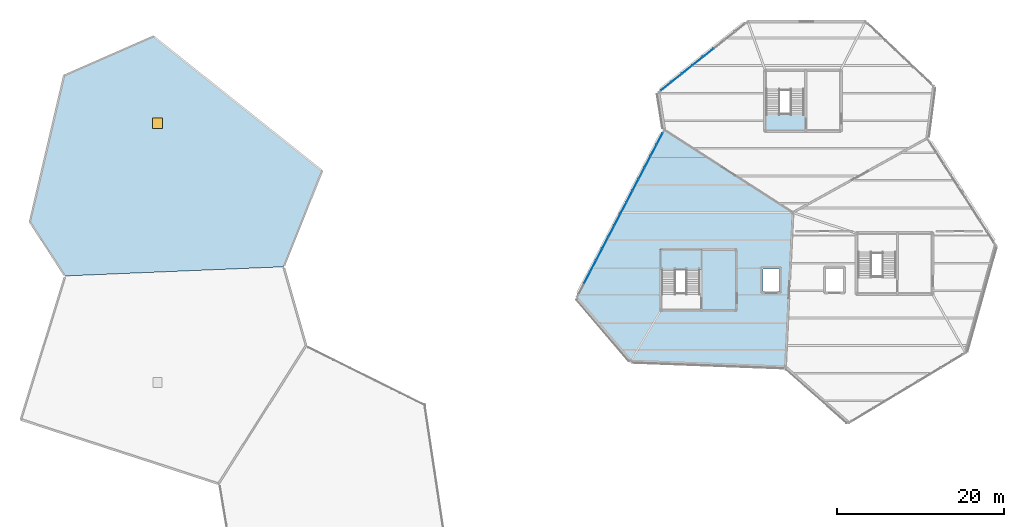
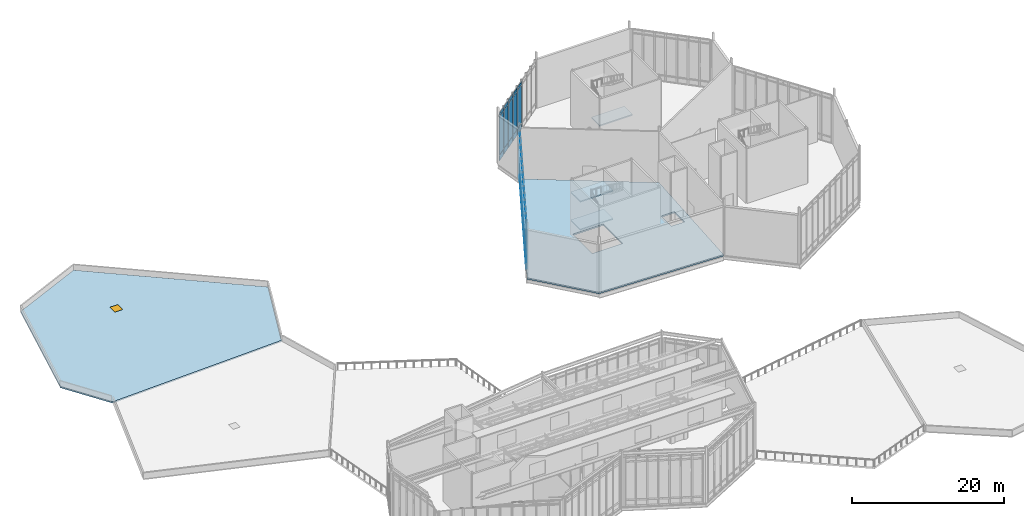
# One storey, part 47 of 66: 54 plates, 5 slabs, 1 door, 1 opening, 4 elements without a shape of their own.
"""IFC4 building model written with IfcOpenShell, lengths in metres."""

from ifc_helpers import new_model, si_unit, direction, frame, origin, origin_2d, place, context, subcontext, project, spatial, polyline, rectangle, outline, extrude, material, layer, layer_set, type_object, element, fill, aggregate, save


model = new_model("IFC4")

# Units and contexts
model_context = context("Model", 3, precision=1e-05, world=origin(), true_north=direction((0.0, 1.0)))
body_context = subcontext(model_context, "Body", "Model", "MODEL_VIEW")
ifc_project = project(units=[si_unit("LENGTHUNIT", "METRE"), si_unit("AREAUNIT", "SQUARE_METRE"), si_unit("VOLUMEUNIT", "CUBIC_METRE"), si_unit("PLANEANGLEUNIT", "RADIAN"), si_unit("MASSUNIT", "GRAM", prefix="KILO")], contexts=[model_context])

# Site, building, storey
site_placement = place(None, origin())
site = spatial("IfcSite", under=ifc_project, at=site_placement, CompositionType="ELEMENT")
building_placement = place(site_placement, origin())
building = spatial("IfcBuilding", under=site, at=building_placement, Name="Tameran Prism Museum", CompositionType="ELEMENT")
storey_placement = place(building_placement, frame((0.0, 0.0, 19.800048828125)))
storey = spatial("IfcBuildingStorey", under=building, at=storey_placement, Name="L04", CompositionType="ELEMENT", Elevation=19.800048828125)

# Curtain wall, plates
ifc_material_1 = material(Name="Anodised Aluminium 6063-T6 and Cyclone Solar Glass", Category="aluminium")
curtain_wall_type_1 = type_object("IfcCurtainWallType", Name="CW-FAC-2192x782", PredefinedType="USERDEFINED", material=ifc_material_1)
curtain_wall_1_placement = place(storey_placement, origin())
curtain_wall_1 = element("IfcCurtainWall", 1, at=curtain_wall_1_placement, inside=storey, type_object=curtain_wall_type_1, Name="Unitised Curtain Wall CW-151", ObjectType="UNITISED CURTAIN WALL", PredefinedType="USERDEFINED")
ifc_material_2 = material(Name="Cyclone Laminated Solar Glass", Category="glass")
ifc_layer_1 = layer(ifc_material_2, 0.031982421875)
ifc_layer_set_1 = layer_set([ifc_layer_1])
plate_type = type_object("IfcPlateType", Name="CW-PNL-G32", PredefinedType="CURTAIN_PANEL", material=ifc_layer_set_1)
plate_1_placement = place(storey_placement, frame((94.149169921875, 81.29150390625, 0.06494140625), z_axis=(0.0, 0.0, 1.0), x_axis=(0.463002540551, 0.886356952612, 0.0)))
plate_1 = element("IfcPlate", 2, at=plate_1_placement, type_object=plate_type, Name="CW-151 panel 2.1", PredefinedType="CURTAIN_PANEL", context=body_context, shape_type="SweptSolid", body=[
    extrude(rectangle(XDim=1.50048828125, YDim=0.031982421875, at=origin_2d()), origin(), (0.0, 0.0, 1.0), 0.902587890625),
])
plate_2_placement = place(storey_placement, frame((94.149169921875, 81.29150390625, 1.03271484375), z_axis=(0.0, 0.0, 1.0), x_axis=(0.463002540551, 0.886356952612, 0.0)))
plate_2 = element("IfcPlate", 3, at=plate_2_placement, type_object=plate_type, Name="CW-151 panel 2.2", PredefinedType="CURTAIN_PANEL", context=body_context, shape_type="SweptSolid", body=[
    extrude(rectangle(XDim=1.50048828125, YDim=0.031982421875, at=origin_2d()), origin(), (0.0, 0.0, 1.0), 6.074951171875),
])
plate_3_placement = place(storey_placement, frame((94.149169921875, 81.29150390625, 7.17236328125), z_axis=(0.0, 0.0, 1.0), x_axis=(0.463002540551, 0.886356952612, 0.0)))
plate_3 = element("IfcPlate", 4, at=plate_3_placement, type_object=plate_type, Name="CW-151 panel 2.3", PredefinedType="CURTAIN_PANEL", context=body_context, shape_type="SweptSolid", body=[
    extrude(rectangle(XDim=1.50048828125, YDim=0.031982421875, at=origin_2d()), origin(), (0.0, 0.0, 1.0), 0.58251953125),
])
plate_4_placement = place(storey_placement, frame((94.8740234375, 82.67919921875, 0.06494140625), z_axis=(0.0, 0.0, 1.0), x_axis=(0.463002540551, 0.886356952612, 0.0)))
plate_4 = element("IfcPlate", 5, at=plate_4_placement, type_object=plate_type, Name="CW-151 panel 3.1", PredefinedType="CURTAIN_PANEL", context=body_context, shape_type="SweptSolid", body=[
    extrude(rectangle(XDim=1.50048828125, YDim=0.031982421875, at=origin_2d()), origin(), (0.0, 0.0, 1.0), 0.902587890625),
])
plate_5_placement = place(storey_placement, frame((94.8740234375, 82.67919921875, 1.03271484375), z_axis=(0.0, 0.0, 1.0), x_axis=(0.463002540551, 0.886356952612, 0.0)))
plate_5 = element("IfcPlate", 6, at=plate_5_placement, type_object=plate_type, Name="CW-151 panel 3.2", PredefinedType="CURTAIN_PANEL", context=body_context, shape_type="SweptSolid", body=[
    extrude(rectangle(XDim=1.50048828125, YDim=0.031982421875, at=origin_2d()), origin(), (0.0, 0.0, 1.0), 6.074951171875),
])
plate_6_placement = place(storey_placement, frame((94.8740234375, 82.67919921875, 7.17236328125), z_axis=(0.0, 0.0, 1.0), x_axis=(0.463002540551, 0.886356952612, 0.0)))
plate_6 = element("IfcPlate", 7, at=plate_6_placement, type_object=plate_type, Name="CW-151 panel 3.3", PredefinedType="CURTAIN_PANEL", context=body_context, shape_type="SweptSolid", body=[
    extrude(rectangle(XDim=1.50048828125, YDim=0.031982421875, at=origin_2d()), origin(), (0.0, 0.0, 1.0), 0.58251953125),
])
plate_7_placement = place(storey_placement, frame((95.59912109375, 84.066650390625, 0.06494140625), z_axis=(0.0, 0.0, 1.0), x_axis=(0.463002540551, 0.886356952612, 0.0)))
plate_7 = element("IfcPlate", 8, at=plate_7_placement, type_object=plate_type, Name="CW-151 panel 4.1", PredefinedType="CURTAIN_PANEL", context=body_context, shape_type="SweptSolid", body=[
    extrude(rectangle(XDim=1.50048828125, YDim=0.031982421875, at=origin_2d()), origin(), (0.0, 0.0, 1.0), 0.902587890625),
])
plate_8_placement = place(storey_placement, frame((95.59912109375, 84.066650390625, 1.03271484375), z_axis=(0.0, 0.0, 1.0), x_axis=(0.463002540551, 0.886356952612, 0.0)))
plate_8 = element("IfcPlate", 9, at=plate_8_placement, type_object=plate_type, Name="CW-151 panel 4.2", PredefinedType="CURTAIN_PANEL", context=body_context, shape_type="SweptSolid", body=[
    extrude(rectangle(XDim=1.50048828125, YDim=0.031982421875, at=origin_2d()), origin(), (0.0, 0.0, 1.0), 6.074951171875),
])
plate_9_placement = place(storey_placement, frame((95.59912109375, 84.066650390625, 7.17236328125), z_axis=(0.0, 0.0, 1.0), x_axis=(0.463002540551, 0.886356952612, 0.0)))
plate_9 = element("IfcPlate", 10, at=plate_9_placement, type_object=plate_type, Name="CW-151 panel 4.3", PredefinedType="CURTAIN_PANEL", context=body_context, shape_type="SweptSolid", body=[
    extrude(rectangle(XDim=1.50048828125, YDim=0.031982421875, at=origin_2d()), origin(), (0.0, 0.0, 1.0), 0.58251953125),
])
plate_10_placement = place(storey_placement, frame((96.323974609375, 85.454345703125, 0.06494140625), z_axis=(0.0, 0.0, 1.0), x_axis=(0.463002540551, 0.886356952612, 0.0)))
plate_10 = element("IfcPlate", 11, at=plate_10_placement, type_object=plate_type, Name="CW-151 panel 5.1", PredefinedType="CURTAIN_PANEL", context=body_context, shape_type="SweptSolid", body=[
    extrude(rectangle(XDim=1.50048828125, YDim=0.031982421875, at=origin_2d()), origin(), (0.0, 0.0, 1.0), 0.902587890625),
])
plate_11_placement = place(storey_placement, frame((96.323974609375, 85.454345703125, 1.03271484375), z_axis=(0.0, 0.0, 1.0), x_axis=(0.463002540551, 0.886356952612, 0.0)))
plate_11 = element("IfcPlate", 12, at=plate_11_placement, type_object=plate_type, Name="CW-151 panel 5.2", PredefinedType="CURTAIN_PANEL", context=body_context, shape_type="SweptSolid", body=[
    extrude(rectangle(XDim=1.50048828125, YDim=0.031982421875, at=origin_2d()), origin(), (0.0, 0.0, 1.0), 6.074951171875),
])
plate_12_placement = place(storey_placement, frame((96.323974609375, 85.454345703125, 7.17236328125), z_axis=(0.0, 0.0, 1.0), x_axis=(0.463002540551, 0.886356952612, 0.0)))
plate_12 = element("IfcPlate", 13, at=plate_12_placement, type_object=plate_type, Name="CW-151 panel 5.3", PredefinedType="CURTAIN_PANEL", context=body_context, shape_type="SweptSolid", body=[
    extrude(rectangle(XDim=1.50048828125, YDim=0.031982421875, at=origin_2d()), origin(), (0.0, 0.0, 1.0), 0.58251953125),
])
plate_13_placement = place(storey_placement, frame((97.048828125, 86.842041015625, 0.06494140625), z_axis=(0.0, 0.0, 1.0), x_axis=(0.463002540551, 0.886356952612, 0.0)))
plate_13 = element("IfcPlate", 14, at=plate_13_placement, type_object=plate_type, Name="CW-151 panel 6.1", PredefinedType="CURTAIN_PANEL", context=body_context, shape_type="SweptSolid", body=[
    extrude(rectangle(XDim=1.50048828125, YDim=0.031982421875, at=origin_2d()), origin(), (0.0, 0.0, 1.0), 0.902587890625),
])
plate_14_placement = place(storey_placement, frame((97.048828125, 86.842041015625, 1.03271484375), z_axis=(0.0, 0.0, 1.0), x_axis=(0.463002540551, 0.886356952612, 0.0)))
plate_14 = element("IfcPlate", 15, at=plate_14_placement, type_object=plate_type, Name="CW-151 panel 6.2", PredefinedType="CURTAIN_PANEL", context=body_context, shape_type="SweptSolid", body=[
    extrude(rectangle(XDim=1.50048828125, YDim=0.031982421875, at=origin_2d()), origin(), (0.0, 0.0, 1.0), 6.074951171875),
])
plate_15_placement = place(storey_placement, frame((97.048828125, 86.842041015625, 7.17236328125), z_axis=(0.0, 0.0, 1.0), x_axis=(0.463002540551, 0.886356952612, 0.0)))
plate_15 = element("IfcPlate", 16, at=plate_15_placement, type_object=plate_type, Name="CW-151 panel 6.3", PredefinedType="CURTAIN_PANEL", context=body_context, shape_type="SweptSolid", body=[
    extrude(rectangle(XDim=1.50048828125, YDim=0.031982421875, at=origin_2d()), origin(), (0.0, 0.0, 1.0), 0.58251953125),
])
plate_16_placement = place(storey_placement, frame((97.773681640625, 88.229736328125, 0.06494140625), z_axis=(0.0, 0.0, 1.0), x_axis=(0.463002540551, 0.886356952612, 0.0)))
plate_16 = element("IfcPlate", 17, at=plate_16_placement, type_object=plate_type, Name="CW-151 panel 7.1", PredefinedType="CURTAIN_PANEL", context=body_context, shape_type="SweptSolid", body=[
    extrude(rectangle(XDim=1.50048828125, YDim=0.031982421875, at=origin_2d()), origin(), (0.0, 0.0, 1.0), 0.902587890625),
])
plate_17_placement = place(storey_placement, frame((97.773681640625, 88.229736328125, 1.03271484375), z_axis=(0.0, 0.0, 1.0), x_axis=(0.463002540551, 0.886356952612, 0.0)))
plate_17 = element("IfcPlate", 18, at=plate_17_placement, type_object=plate_type, Name="CW-151 panel 7.2", PredefinedType="CURTAIN_PANEL", context=body_context, shape_type="SweptSolid", body=[
    extrude(rectangle(XDim=1.50048828125, YDim=0.031982421875, at=origin_2d()), origin(), (0.0, 0.0, 1.0), 6.074951171875),
])
plate_18_placement = place(storey_placement, frame((97.773681640625, 88.229736328125, 7.17236328125), z_axis=(0.0, 0.0, 1.0), x_axis=(0.463002540551, 0.886356952612, 0.0)))
plate_18 = element("IfcPlate", 19, at=plate_18_placement, type_object=plate_type, Name="CW-151 panel 7.3", PredefinedType="CURTAIN_PANEL", context=body_context, shape_type="SweptSolid", body=[
    extrude(rectangle(XDim=1.50048828125, YDim=0.031982421875, at=origin_2d()), origin(), (0.0, 0.0, 1.0), 0.58251953125),
])
plate_19_placement = place(storey_placement, frame((98.49853515625, 89.617431640625, 0.06494140625), z_axis=(0.0, 0.0, 1.0), x_axis=(0.463002540551, 0.886356952612, 0.0)))
plate_19 = element("IfcPlate", 20, at=plate_19_placement, type_object=plate_type, Name="CW-151 panel 8.1", PredefinedType="CURTAIN_PANEL", context=body_context, shape_type="SweptSolid", body=[
    extrude(rectangle(XDim=1.50048828125, YDim=0.031982421875, at=origin_2d()), origin(), (0.0, 0.0, 1.0), 0.902587890625),
])
plate_20_placement = place(storey_placement, frame((98.49853515625, 89.617431640625, 1.03271484375), z_axis=(0.0, 0.0, 1.0), x_axis=(0.463002540551, 0.886356952612, 0.0)))
plate_20 = element("IfcPlate", 21, at=plate_20_placement, type_object=plate_type, Name="CW-151 panel 8.2", PredefinedType="CURTAIN_PANEL", context=body_context, shape_type="SweptSolid", body=[
    extrude(rectangle(XDim=1.50048828125, YDim=0.031982421875, at=origin_2d()), origin(), (0.0, 0.0, 1.0), 6.074951171875),
])
plate_21_placement = place(storey_placement, frame((98.49853515625, 89.617431640625, 7.17236328125), z_axis=(0.0, 0.0, 1.0), x_axis=(0.463002540551, 0.886356952612, 0.0)))
plate_21 = element("IfcPlate", 22, at=plate_21_placement, type_object=plate_type, Name="CW-151 panel 8.3", PredefinedType="CURTAIN_PANEL", context=body_context, shape_type="SweptSolid", body=[
    extrude(rectangle(XDim=1.50048828125, YDim=0.031982421875, at=origin_2d()), origin(), (0.0, 0.0, 1.0), 0.58251953125),
])
plate_22_placement = place(storey_placement, frame((99.223388671875, 91.0048828125, 0.06494140625), z_axis=(0.0, 0.0, 1.0), x_axis=(0.463002540551, 0.886356952612, 0.0)))
plate_22 = element("IfcPlate", 23, at=plate_22_placement, type_object=plate_type, Name="CW-151 panel 9.1", PredefinedType="CURTAIN_PANEL", context=body_context, shape_type="SweptSolid", body=[
    extrude(rectangle(XDim=1.50048828125, YDim=0.031982421875, at=origin_2d()), origin(), (0.0, 0.0, 1.0), 0.902587890625),
])
plate_23_placement = place(storey_placement, frame((99.223388671875, 91.0048828125, 1.03271484375), z_axis=(0.0, 0.0, 1.0), x_axis=(0.463002540551, 0.886356952612, 0.0)))
plate_23 = element("IfcPlate", 24, at=plate_23_placement, type_object=plate_type, Name="CW-151 panel 9.2", PredefinedType="CURTAIN_PANEL", context=body_context, shape_type="SweptSolid", body=[
    extrude(rectangle(XDim=1.50048828125, YDim=0.031982421875, at=origin_2d()), origin(), (0.0, 0.0, 1.0), 6.074951171875),
])
plate_24_placement = place(storey_placement, frame((99.223388671875, 91.0048828125, 7.17236328125), z_axis=(0.0, 0.0, 1.0), x_axis=(0.463002540551, 0.886356952612, 0.0)))
plate_24 = element("IfcPlate", 25, at=plate_24_placement, type_object=plate_type, Name="CW-151 panel 9.3", PredefinedType="CURTAIN_PANEL", context=body_context, shape_type="SweptSolid", body=[
    extrude(rectangle(XDim=1.50048828125, YDim=0.031982421875, at=origin_2d()), origin(), (0.0, 0.0, 1.0), 0.58251953125),
])
plate_25_placement = place(storey_placement, frame((99.9482421875, 92.392578125, 0.06494140625), z_axis=(0.0, 0.0, 1.0), x_axis=(0.463002540551, 0.886356952612, 0.0)))
plate_25 = element("IfcPlate", 26, at=plate_25_placement, type_object=plate_type, Name="CW-151 panel 10.1", PredefinedType="CURTAIN_PANEL", context=body_context, shape_type="SweptSolid", body=[
    extrude(rectangle(XDim=1.50048828125, YDim=0.031982421875, at=origin_2d()), origin(), (0.0, 0.0, 1.0), 0.902587890625),
])
plate_26_placement = place(storey_placement, frame((99.9482421875, 92.392578125, 1.03271484375), z_axis=(0.0, 0.0, 1.0), x_axis=(0.463002540551, 0.886356952612, 0.0)))
plate_26 = element("IfcPlate", 27, at=plate_26_placement, type_object=plate_type, Name="CW-151 panel 10.2", PredefinedType="CURTAIN_PANEL", context=body_context, shape_type="SweptSolid", body=[
    extrude(rectangle(XDim=1.50048828125, YDim=0.031982421875, at=origin_2d()), origin(), (0.0, 0.0, 1.0), 6.074951171875),
])
plate_27_placement = place(storey_placement, frame((99.9482421875, 92.392578125, 7.17236328125), z_axis=(0.0, 0.0, 1.0), x_axis=(0.463002540551, 0.886356952612, 0.0)))
plate_27 = element("IfcPlate", 28, at=plate_27_placement, type_object=plate_type, Name="CW-151 panel 10.3", PredefinedType="CURTAIN_PANEL", context=body_context, shape_type="SweptSolid", body=[
    extrude(rectangle(XDim=1.50048828125, YDim=0.031982421875, at=origin_2d()), origin(), (0.0, 0.0, 1.0), 0.58251953125),
])
plate_28_placement = place(storey_placement, frame((100.673095703125, 93.7802734375, 0.06494140625), z_axis=(0.0, 0.0, 1.0), x_axis=(0.463002540551, 0.886356952612, 0.0)))
plate_28 = element("IfcPlate", 29, at=plate_28_placement, type_object=plate_type, Name="CW-151 panel 11.1", PredefinedType="CURTAIN_PANEL", context=body_context, shape_type="SweptSolid", body=[
    extrude(rectangle(XDim=1.50048828125, YDim=0.031982421875, at=origin_2d()), origin(), (0.0, 0.0, 1.0), 0.902587890625),
])
plate_29_placement = place(storey_placement, frame((100.673095703125, 93.7802734375, 1.03271484375), z_axis=(0.0, 0.0, 1.0), x_axis=(0.463002540551, 0.886356952612, 0.0)))
plate_29 = element("IfcPlate", 30, at=plate_29_placement, type_object=plate_type, Name="CW-151 panel 11.2", PredefinedType="CURTAIN_PANEL", context=body_context, shape_type="SweptSolid", body=[
    extrude(rectangle(XDim=1.50048828125, YDim=0.031982421875, at=origin_2d()), origin(), (0.0, 0.0, 1.0), 6.074951171875),
])
plate_30_placement = place(storey_placement, frame((100.673095703125, 93.7802734375, 7.17236328125), z_axis=(0.0, 0.0, 1.0), x_axis=(0.463002540551, 0.886356952612, 0.0)))
plate_30 = element("IfcPlate", 31, at=plate_30_placement, type_object=plate_type, Name="CW-151 panel 11.3", PredefinedType="CURTAIN_PANEL", context=body_context, shape_type="SweptSolid", body=[
    extrude(rectangle(XDim=1.50048828125, YDim=0.031982421875, at=origin_2d()), origin(), (0.0, 0.0, 1.0), 0.58251953125),
])
plate_31_placement = place(storey_placement, frame((101.39794921875, 95.16796875, 0.06494140625), z_axis=(0.0, 0.0, 1.0), x_axis=(0.463002540551, 0.886356952612, 0.0)))
plate_31 = element("IfcPlate", 32, at=plate_31_placement, type_object=plate_type, Name="CW-151 panel 12.1", PredefinedType="CURTAIN_PANEL", context=body_context, shape_type="SweptSolid", body=[
    extrude(rectangle(XDim=1.50048828125, YDim=0.031982421875, at=origin_2d()), origin(), (0.0, 0.0, 1.0), 0.902587890625),
])
plate_32_placement = place(storey_placement, frame((101.39794921875, 95.16796875, 1.03271484375), z_axis=(0.0, 0.0, 1.0), x_axis=(0.463002540551, 0.886356952612, 0.0)))
plate_32 = element("IfcPlate", 33, at=plate_32_placement, type_object=plate_type, Name="CW-151 panel 12.2", PredefinedType="CURTAIN_PANEL", context=body_context, shape_type="SweptSolid", body=[
    extrude(rectangle(XDim=1.50048828125, YDim=0.031982421875, at=origin_2d()), origin(), (0.0, 0.0, 1.0), 6.074951171875),
])
plate_33_placement = place(storey_placement, frame((101.39794921875, 95.16796875, 7.17236328125), z_axis=(0.0, 0.0, 1.0), x_axis=(0.463002540551, 0.886356952612, 0.0)))
plate_33 = element("IfcPlate", 34, at=plate_33_placement, type_object=plate_type, Name="CW-151 panel 12.3", PredefinedType="CURTAIN_PANEL", context=body_context, shape_type="SweptSolid", body=[
    extrude(rectangle(XDim=1.50048828125, YDim=0.031982421875, at=origin_2d()), origin(), (0.0, 0.0, 1.0), 0.58251953125),
])
plate_34_placement = place(storey_placement, frame((102.122802734375, 96.555419921875, 0.06494140625), z_axis=(0.0, 0.0, 1.0), x_axis=(0.463002540551, 0.886356952612, 0.0)))
plate_34 = element("IfcPlate", 35, at=plate_34_placement, type_object=plate_type, Name="CW-151 panel 13.1", PredefinedType="CURTAIN_PANEL", context=body_context, shape_type="SweptSolid", body=[
    extrude(rectangle(XDim=1.50048828125, YDim=0.031982421875, at=origin_2d()), origin(), (0.0, 0.0, 1.0), 0.902587890625),
])
plate_35_placement = place(storey_placement, frame((102.122802734375, 96.555419921875, 1.03271484375), z_axis=(0.0, 0.0, 1.0), x_axis=(0.463002540551, 0.886356952612, 0.0)))
plate_35 = element("IfcPlate", 36, at=plate_35_placement, type_object=plate_type, Name="CW-151 panel 13.2", PredefinedType="CURTAIN_PANEL", context=body_context, shape_type="SweptSolid", body=[
    extrude(rectangle(XDim=1.50048828125, YDim=0.031982421875, at=origin_2d()), origin(), (0.0, 0.0, 1.0), 6.074951171875),
])
plate_36_placement = place(storey_placement, frame((102.122802734375, 96.555419921875, 7.17236328125), z_axis=(0.0, 0.0, 1.0), x_axis=(0.463002540551, 0.886356952612, 0.0)))
plate_36 = element("IfcPlate", 37, at=plate_36_placement, type_object=plate_type, Name="CW-151 panel 13.3", PredefinedType="CURTAIN_PANEL", context=body_context, shape_type="SweptSolid", body=[
    extrude(rectangle(XDim=1.50048828125, YDim=0.031982421875, at=origin_2d()), origin(), (0.0, 0.0, 1.0), 0.58251953125),
])
plate_37_placement = place(storey_placement, frame((102.840087890625, 97.9287109375, 0.06494140625), z_axis=(0.0, 0.0, 1.0), x_axis=(0.463002540551, 0.886356952612, 0.0)))
plate_37 = element("IfcPlate", 38, at=plate_37_placement, type_object=plate_type, Name="CW-151 panel 14.1", PredefinedType="CURTAIN_PANEL", context=body_context, shape_type="SweptSolid", body=[
    extrude(rectangle(XDim=1.468017578125, YDim=0.031982421875, at=origin_2d()), origin(), (0.0, 0.0, 1.0), 0.902587890625),
])
plate_38_placement = place(storey_placement, frame((102.840087890625, 97.9287109375, 1.03271484375), z_axis=(0.0, 0.0, 1.0), x_axis=(0.463002540551, 0.886356952612, 0.0)))
plate_38 = element("IfcPlate", 39, at=plate_38_placement, type_object=plate_type, Name="CW-151 panel 14.2", PredefinedType="CURTAIN_PANEL", context=body_context, shape_type="SweptSolid", body=[
    extrude(rectangle(XDim=1.468017578125, YDim=0.031982421875, at=origin_2d()), origin(), (0.0, 0.0, 1.0), 6.074951171875),
])
plate_39_placement = place(storey_placement, frame((102.840087890625, 97.9287109375, 7.17236328125), z_axis=(0.0, 0.0, 1.0), x_axis=(0.463002540551, 0.886356952612, 0.0)))
plate_39 = element("IfcPlate", 40, at=plate_39_placement, type_object=plate_type, Name="CW-151 panel 14.3", PredefinedType="CURTAIN_PANEL", context=body_context, shape_type="SweptSolid", body=[
    extrude(rectangle(XDim=1.468017578125, YDim=0.031982421875, at=origin_2d()), origin(), (0.0, 0.0, 1.0), 0.58251953125),
])
aggregate(curtain_wall_1, [plate_1, plate_2, plate_3, plate_4, plate_5, plate_6, plate_7, plate_8, plate_9, plate_10, plate_11, plate_12, plate_13, plate_14, plate_15, plate_16, plate_17, plate_18, plate_19, plate_20, plate_21, plate_22, plate_23, plate_24, plate_25, plate_26, plate_27, plate_28, plate_29, plate_30, plate_31, plate_32, plate_33, plate_34, plate_35, plate_36, plate_37, plate_38, plate_39])

ifc_material_3 = material(Name="Anodised Aluminium 6063-T6 and Cyclone Solar Glass", Category="aluminium")
curtain_wall_type_2 = type_object("IfcCurtainWallType", Name="CW-FAC-1296x782", PredefinedType="USERDEFINED", material=ifc_material_3)
curtain_wall_2_placement = place(storey_placement, origin())
curtain_wall_2 = element("IfcCurtainWall", 41, at=curtain_wall_2_placement, inside=storey, type_object=curtain_wall_type_2, Name="Unitised Curtain Wall CW-155", ObjectType="UNITISED CURTAIN WALL", PredefinedType="USERDEFINED")
plate_40_placement = place(storey_placement, frame((103.621337890625, 104.232177734375, 0.06494140625), z_axis=(0.0, 0.0, 1.0), x_axis=(0.783031296178, 0.621982306183, 0.0)))
plate_40 = element("IfcPlate", 42, at=plate_40_placement, type_object=plate_type, Name="CW-155 panel 1.1", PredefinedType="CURTAIN_PANEL", context=body_context, shape_type="SweptSolid", body=[
    extrude(rectangle(XDim=1.523193359375, YDim=0.031982421875, at=origin_2d()), origin(), (0.0, 0.0, 1.0), 0.902587890625),
])
plate_41_placement = place(storey_placement, frame((103.621337890625, 104.232177734375, 1.03271484375), z_axis=(0.0, 0.0, 1.0), x_axis=(0.783031296178, 0.621982306183, 0.0)))
plate_41 = element("IfcPlate", 43, at=plate_41_placement, type_object=plate_type, Name="CW-155 panel 1.2", PredefinedType="CURTAIN_PANEL", context=body_context, shape_type="SweptSolid", body=[
    extrude(rectangle(XDim=1.523193359375, YDim=0.031982421875, at=origin_2d()), origin(), (0.0, 0.0, 1.0), 6.074951171875),
])
plate_42_placement = place(storey_placement, frame((103.621337890625, 104.232177734375, 7.17236328125), z_axis=(0.0, 0.0, 1.0), x_axis=(0.783031296178, 0.621982306183, 0.0)))
plate_42 = element("IfcPlate", 44, at=plate_42_placement, type_object=plate_type, Name="CW-155 panel 1.3", PredefinedType="CURTAIN_PANEL", context=body_context, shape_type="SweptSolid", body=[
    extrude(rectangle(XDim=1.523193359375, YDim=0.031982421875, at=origin_2d()), origin(), (0.0, 0.0, 1.0), 0.58251953125),
])
plate_43_placement = place(storey_placement, frame((104.87744140625, 105.22998046875, 0.06494140625), z_axis=(0.0, 0.0, 1.0), x_axis=(0.783031296178, 0.621982306183, 0.0)))
plate_43 = element("IfcPlate", 45, at=plate_43_placement, type_object=plate_type, Name="CW-155 panel 2.1", PredefinedType="CURTAIN_PANEL", context=body_context, shape_type="SweptSolid", body=[
    extrude(rectangle(XDim=1.5556640625, YDim=0.031982421875, at=origin_2d()), origin(), (0.0, 0.0, 1.0), 0.902587890625),
])
plate_44_placement = place(storey_placement, frame((104.87744140625, 105.22998046875, 1.03271484375), z_axis=(0.0, 0.0, 1.0), x_axis=(0.783031296178, 0.621982306183, 0.0)))
plate_44 = element("IfcPlate", 46, at=plate_44_placement, type_object=plate_type, Name="CW-155 panel 2.2", PredefinedType="CURTAIN_PANEL", context=body_context, shape_type="SweptSolid", body=[
    extrude(rectangle(XDim=1.5556640625, YDim=0.031982421875, at=origin_2d()), origin(), (0.0, 0.0, 1.0), 6.074951171875),
])
plate_45_placement = place(storey_placement, frame((104.87744140625, 105.22998046875, 7.17236328125), z_axis=(0.0, 0.0, 1.0), x_axis=(0.783031296178, 0.621982306183, 0.0)))
plate_45 = element("IfcPlate", 47, at=plate_45_placement, type_object=plate_type, Name="CW-155 panel 2.3", PredefinedType="CURTAIN_PANEL", context=body_context, shape_type="SweptSolid", body=[
    extrude(rectangle(XDim=1.5556640625, YDim=0.031982421875, at=origin_2d()), origin(), (0.0, 0.0, 1.0), 0.58251953125),
])
plate_46_placement = place(storey_placement, frame((106.146484375, 106.238037109375, 0.06494140625), z_axis=(0.0, 0.0, 1.0), x_axis=(0.783031296178, 0.621982306183, 0.0)))
plate_46 = element("IfcPlate", 48, at=plate_46_placement, type_object=plate_type, Name="CW-155 panel 3.1", PredefinedType="CURTAIN_PANEL", context=body_context, shape_type="SweptSolid", body=[
    extrude(rectangle(XDim=1.5556640625, YDim=0.031982421875, at=origin_2d()), origin(), (0.0, 0.0, 1.0), 0.902587890625),
])
plate_47_placement = place(storey_placement, frame((106.146484375, 106.238037109375, 1.03271484375), z_axis=(0.0, 0.0, 1.0), x_axis=(0.783031296178, 0.621982306183, 0.0)))
plate_47 = element("IfcPlate", 49, at=plate_47_placement, type_object=plate_type, Name="CW-155 panel 3.2", PredefinedType="CURTAIN_PANEL", context=body_context, shape_type="SweptSolid", body=[
    extrude(rectangle(XDim=1.5556640625, YDim=0.031982421875, at=origin_2d()), origin(), (0.0, 0.0, 1.0), 6.074951171875),
])
plate_48_placement = place(storey_placement, frame((106.146484375, 106.238037109375, 7.17236328125), z_axis=(0.0, 0.0, 1.0), x_axis=(0.783031296178, 0.621982306183, 0.0)))
plate_48 = element("IfcPlate", 50, at=plate_48_placement, type_object=plate_type, Name="CW-155 panel 3.3", PredefinedType="CURTAIN_PANEL", context=body_context, shape_type="SweptSolid", body=[
    extrude(rectangle(XDim=1.5556640625, YDim=0.031982421875, at=origin_2d()), origin(), (0.0, 0.0, 1.0), 0.58251953125),
])
plate_49_placement = place(storey_placement, frame((107.41552734375, 107.24609375, 0.06494140625), z_axis=(0.0, 0.0, 1.0), x_axis=(0.783031296178, 0.621982306183, 0.0)))
plate_49 = element("IfcPlate", 51, at=plate_49_placement, type_object=plate_type, Name="CW-155 panel 4.1", PredefinedType="CURTAIN_PANEL", context=body_context, shape_type="SweptSolid", body=[
    extrude(rectangle(XDim=1.5556640625, YDim=0.031982421875, at=origin_2d()), origin(), (0.0, 0.0, 1.0), 0.902587890625),
])
plate_50_placement = place(storey_placement, frame((107.41552734375, 107.24609375, 1.03271484375), z_axis=(0.0, 0.0, 1.0), x_axis=(0.783031296178, 0.621982306183, 0.0)))
plate_50 = element("IfcPlate", 52, at=plate_50_placement, type_object=plate_type, Name="CW-155 panel 4.2", PredefinedType="CURTAIN_PANEL", context=body_context, shape_type="SweptSolid", body=[
    extrude(rectangle(XDim=1.5556640625, YDim=0.031982421875, at=origin_2d()), origin(), (0.0, 0.0, 1.0), 6.074951171875),
])
plate_51_placement = place(storey_placement, frame((107.41552734375, 107.24609375, 7.17236328125), z_axis=(0.0, 0.0, 1.0), x_axis=(0.783031296178, 0.621982306183, 0.0)))
plate_51 = element("IfcPlate", 53, at=plate_51_placement, type_object=plate_type, Name="CW-155 panel 4.3", PredefinedType="CURTAIN_PANEL", context=body_context, shape_type="SweptSolid", body=[
    extrude(rectangle(XDim=1.5556640625, YDim=0.031982421875, at=origin_2d()), origin(), (0.0, 0.0, 1.0), 0.58251953125),
])
plate_52_placement = place(storey_placement, frame((108.6845703125, 108.25390625, 0.06494140625), z_axis=(0.0, 0.0, 1.0), x_axis=(0.783031296178, 0.621982306183, 0.0)))
plate_52 = element("IfcPlate", 54, at=plate_52_placement, type_object=plate_type, Name="CW-155 panel 5.1", PredefinedType="CURTAIN_PANEL", context=body_context, shape_type="SweptSolid", body=[
    extrude(rectangle(XDim=1.5556640625, YDim=0.031982421875, at=origin_2d()), origin(), (0.0, 0.0, 1.0), 0.902587890625),
])
plate_53_placement = place(storey_placement, frame((108.6845703125, 108.25390625, 1.03271484375), z_axis=(0.0, 0.0, 1.0), x_axis=(0.783031296178, 0.621982306183, 0.0)))
plate_53 = element("IfcPlate", 55, at=plate_53_placement, type_object=plate_type, Name="CW-155 panel 5.2", PredefinedType="CURTAIN_PANEL", context=body_context, shape_type="SweptSolid", body=[
    extrude(rectangle(XDim=1.5556640625, YDim=0.031982421875, at=origin_2d()), origin(), (0.0, 0.0, 1.0), 6.074951171875),
])
plate_54_placement = place(storey_placement, frame((108.6845703125, 108.25390625, 7.17236328125), z_axis=(0.0, 0.0, 1.0), x_axis=(0.783031296178, 0.621982306183, 0.0)))
plate_54 = element("IfcPlate", 56, at=plate_54_placement, type_object=plate_type, Name="CW-155 panel 5.3", PredefinedType="CURTAIN_PANEL", context=body_context, shape_type="SweptSolid", body=[
    extrude(rectangle(XDim=1.5556640625, YDim=0.031982421875, at=origin_2d()), origin(), (0.0, 0.0, 1.0), 0.58251953125),
])
aggregate(curtain_wall_2, [plate_40, plate_41, plate_42, plate_43, plate_44, plate_45, plate_46, plate_47, plate_48, plate_49, plate_50, plate_51, plate_52, plate_53, plate_54])

# Slab
ifc_material_4 = material(Name="Concrete N40 (40 MPa)", Category="concrete")
ifc_layer_2 = layer(ifc_material_4, 0.239990234375)
ifc_layer_set_2 = layer_set([ifc_layer_2])
slab_type_1 = type_object("IfcSlabType", Name="SL-FLR-240", PredefinedType="FLOOR", material=ifc_layer_set_2)
slab_1_placement = place(storey_placement, frame((0.0, 0.0, -0.239990234375)))
element("IfcSlab", 57, at=slab_1_placement, inside=storey, type_object=slab_type_1, Name="Floor Slab FS-P01-L04", PredefinedType="FLOOR", context=body_context, shape_type="SweptSolid", body=[
    extrude(outline(polyline([(92.89990234375, 78.89990234375), (103.39990234375, 99.0), (118.800048828125, 89.10009765625), (117.89990234375, 70.60009765625), (99.39990234375, 71.300048828125), (92.89990234375, 78.89990234375)]), holes=[polyline([(117.199951171875, 79.64990234375), (117.199951171875, 82.35009765625), (115.199951171875, 82.35009765625), (115.199951171875, 79.64990234375), (117.199951171875, 79.64990234375)]), polyline([(107.719970703125, 79.43994140625), (107.719970703125, 84.550048828125), (103.10009765625, 84.550048828125), (103.10009765625, 79.43994140625), (107.719970703125, 79.43994140625)])]), origin(), (0.0, 0.0, 1.0), 0.239990234375),
])

# Stair, slabs
ifc_material_5 = material(Name="Concrete N40 (40 MPa)", Category="concrete")
stair_type = type_object("IfcStairType", Name="ST-CORE-90", PredefinedType="HALF_TURN_STAIR", material=ifc_material_5)
stair_1_placement = place(storey_placement, origin())
stair_1 = element("IfcStair", 58, at=stair_1_placement, inside=storey, type_object=stair_type, Name="Fire-Isolated Stair ST-01-L04", PredefinedType="HALF_TURN_STAIR")
ifc_material_6 = material(Name="Concrete N40 (40 MPa)", Category="concrete")
ifc_layer_3 = layer(ifc_material_6, 0.18505859375)
ifc_layer_set_3 = layer_set([ifc_layer_3])
slab_type_2 = type_object("IfcSlabType", Name="SL-LND-185", PredefinedType="LANDING", material=ifc_layer_set_3)
slab_2_placement = place(storey_placement, frame((0.0, 0.0, 2.06494140625)))
slab_2 = element("IfcSlab", 59, at=slab_2_placement, type_object=slab_type_2, Name="ST-01-L04 landing 1", PredefinedType="LANDING", context=body_context, shape_type="SweptSolid", body=[
    extrude(outline(polyline([(102.8798828125, 82.219970703125), (107.8701171875, 82.219970703125), (107.8701171875, 84.719970703125), (102.8798828125, 84.719970703125), (102.8798828125, 82.219970703125)])), origin(), (0.0, 0.0, 1.0), 0.18505859375),
])
slab_3_placement = place(storey_placement, frame((0.0, 0.0, 6.56494140625)))
slab_3 = element("IfcSlab", 60, at=slab_3_placement, type_object=slab_type_2, Name="ST-01-L04 landing 3", PredefinedType="LANDING", context=body_context, shape_type="SweptSolid", body=[
    extrude(outline(polyline([(102.8798828125, 82.219970703125), (107.8701171875, 82.219970703125), (107.8701171875, 84.719970703125), (102.8798828125, 84.719970703125), (102.8798828125, 82.219970703125)])), origin(), (0.0, 0.0, 1.0), 0.18505859375),
])
aggregate(stair_1, [slab_2, slab_3])

# Stair, slab
stair_2_placement = place(storey_placement, origin())
stair_2 = element("IfcStair", 61, at=stair_2_placement, inside=storey, type_object=stair_type, Name="Fire-Isolated Stair ST-07-L04", PredefinedType="HALF_TURN_STAIR")
slab_4_placement = place(storey_placement, frame((0.0, 0.0, 4.31494140625)))
slab_4 = element("IfcSlab", 62, at=slab_4_placement, type_object=slab_type_2, Name="ST-07-L04 landing 2", PredefinedType="LANDING", context=body_context, shape_type="SweptSolid", body=[
    extrude(outline(polyline([(115.3798828125, 98.780029296875), (120.3701171875, 98.780029296875), (120.3701171875, 100.9599609375), (115.3798828125, 100.9599609375), (115.3798828125, 98.780029296875)])), origin(), (0.0, 0.0, 1.0), 0.18505859375),
])
aggregate(stair_2, [slab_4])

# Slab, opening, door
ifc_material_7 = material(Name="Concrete N40 (40 MPa)", Category="concrete")
ifc_layer_4 = layer(ifc_material_7, 0.22998046875)
ifc_layer_set_4 = layer_set([ifc_layer_4])
slab_type_3 = type_object("IfcSlabType", Name="SL-ROOF-230", PredefinedType="ROOF", material=ifc_layer_set_4)
slab_5_placement = place(storey_placement, frame((0.0, 0.0, -0.22998046875)))
slab_5 = element("IfcSlab", 63, at=slab_5_placement, inside=storey, type_object=slab_type_3, Name="Sedum Cool Roof P16 L04", PredefinedType="ROOF", context=body_context, shape_type="SweptSolid", body=[
    extrude(outline(polyline([(31.60009765625, 81.5), (57.800048828125, 82.60009765625), (62.39990234375, 94.10009765625), (42.199951171875, 110.199951171875), (31.5, 105.5), (27.39990234375, 88.0), (31.60009765625, 81.5)])), origin(), (0.0, 0.0, 1.0), 0.22998046875),
])
opening_placement = place(slab_5_placement, frame((42.70703125, 99.800048828125, 0.0)))
opening = element("IfcOpeningElement", 64, at=opening_placement, cuts=slab_5, Name="Opening RH-06", PredefinedType="OPENING", context=body_context, shape_type="SweptSolid", body=[
    extrude(rectangle(XDim=1.199951171875, YDim=1.300048828125, at=origin_2d()), frame((0.0, 0.0, -0.010009765625)), (0.0, 0.0, 1.0), 0.25),
])
ifc_material_8 = material(Name="Cyclone-Rated Anodised Aluminium 6063-T6 and Laminated Glass", Category="aluminium")
door_type = type_object("IfcDoorType", Name="DR-HAT-ROOF2", OperationType="SINGLE_SWING_RIGHT", PredefinedType="TRAPDOOR", material=ifc_material_8)
door_placement = place(opening_placement, frame((0.0, 0.0, 0.179931640625)))
door = element("IfcDoor", 65, at=door_placement, inside=storey, type_object=door_type, Name="Roof Maintenance Hatch RH-06", OperationType="SINGLE_SWING_LEFT", OverallHeight=1.300048828125, OverallWidth=1.199951171875, PredefinedType="TRAPDOOR", context=body_context, shape_type="SweptSolid", body=[
    extrude(rectangle(XDim=1.199951171875, YDim=1.300048828125, at=origin_2d()), origin(), (0.0, 0.0, 1.0), 0.050048828125),
])
fill(opening, door)

save(model, "model.ifc")
